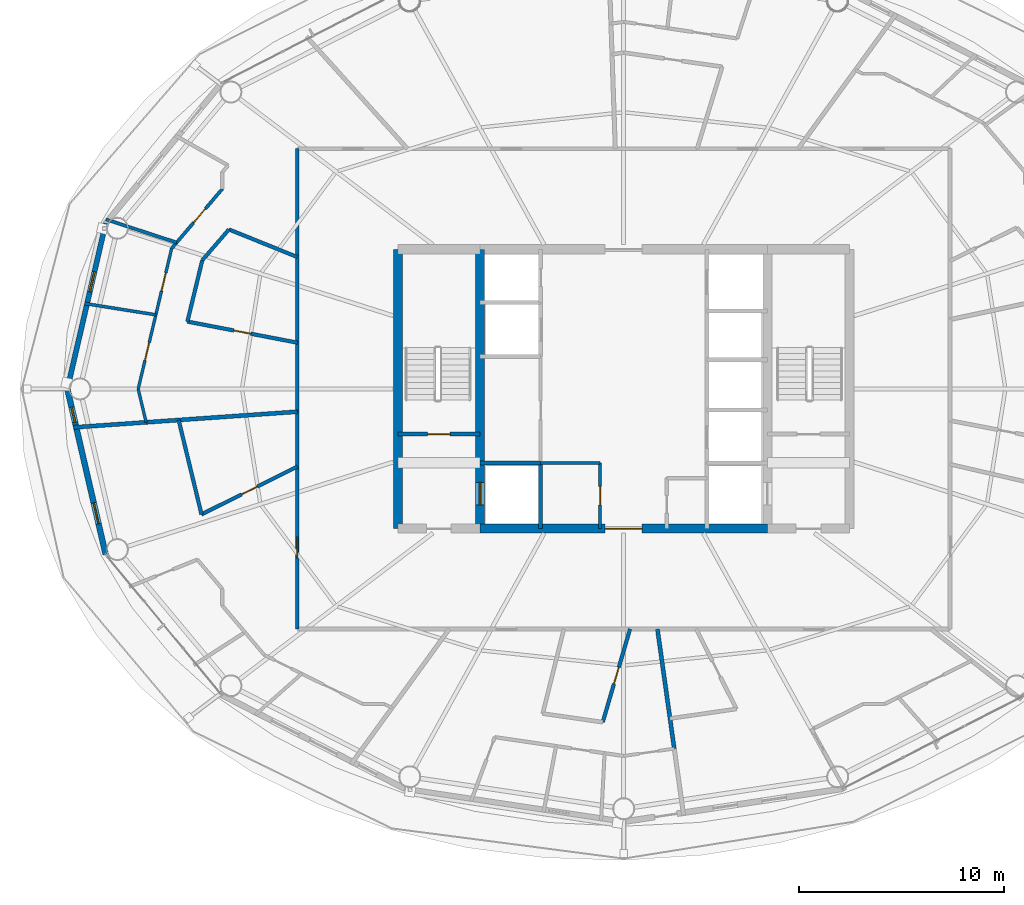
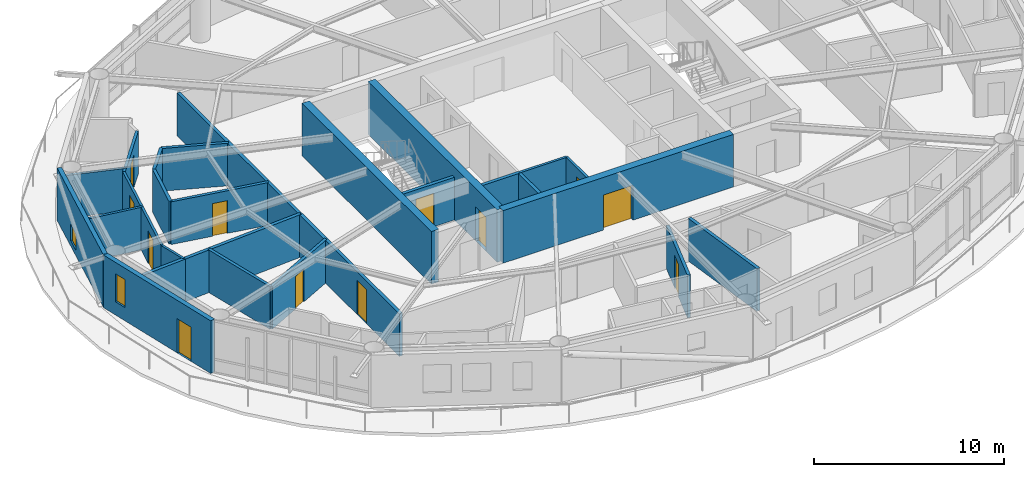
# One storey, part 20 of 29: 27 walls, 12 doors, 2 windows, 14 openings.
"""IFC4 building model written with IfcOpenShell, lengths in metres."""

import ifcopenshell
import ifcopenshell.guid

model = None  # the IFC model being written
_history = None  # IfcOwnerHistory: only IFC2X3 demands one
_inside = {}  # id of a spatial element -> (the spatial element, [elements in it])
_under = {}  # id of a project, library or spatial element -> (it, [spatial elements below it])
_declared = {}  # id of a project -> (the project, [libraries it declares])
_typed = {}  # id of a type object -> (the type object, [elements of that type])
_made_of = {}  # id of a material, layer set ... -> (it, [elements and type objects made of it])


def new_model(schema):
    """Start an empty IFC model of exactly this schema.

    Asked for "IFC4X3", IfcOpenShell would pick the latest addendum, in which some entities
    have other attributes; the version numbers below select the first issue.
    IFC2X3 requires an IfcOwnerHistory on every rooted entity: one is made here for all.
    """
    global model, _history
    if schema == "IFC4X3":
        model = ifcopenshell.file(schema_version=(4, 3, 0, 0))
    else:
        model = ifcopenshell.file(schema=schema)
    _inside.clear()
    _under.clear()
    _declared.clear()
    _typed.clear()
    _made_of.clear()
    _history = None
    if model.schema == "IFC2X3":
        org = make("IfcOrganization", Name="unknown")
        user = make(
            "IfcPersonAndOrganization",
            ThePerson=make("IfcPerson", FamilyName="unknown"),
            TheOrganization=org,
        )
        app = make(
            "IfcApplication",
            ApplicationDeveloper=org,
            Version="unknown",
            ApplicationFullName="unknown",
            ApplicationIdentifier="unknown",
        )
        _history = make(
            "IfcOwnerHistory",
            OwningUser=user,
            OwningApplication=app,
            ChangeAction="ADDED",
            CreationDate=0,
        )
    return model


def make(cls, **values):
    """One entity of the class cls with the attributes given. An attribute that is None is left unset."""
    return model.create_entity(
        cls, **{name: value for name, value in values.items() if value is not None}
    )


def rooted(cls, **values):
    """An entity with a GlobalId (a new one), such as an element, a storey or a relation."""
    return make(cls, GlobalId=ifcopenshell.guid.new(), OwnerHistory=_history, **values)


def si_unit(unit_type, name, prefix=None):
    """IfcSIUnit, for example si_unit("LENGTHUNIT", "METRE", prefix="MILLI")."""
    return make("IfcSIUnit", UnitType=unit_type, Prefix=prefix, Name=name)


def assignment(units):
    """IfcUnitAssignment: the units of a project."""
    return None if units is None else make("IfcUnitAssignment", Units=units)


def point(xyz):
    """IfcCartesianPoint."""
    return None if xyz is None else make("IfcCartesianPoint", Coordinates=xyz)


def direction(xyz):
    """IfcDirection."""
    return None if xyz is None else make("IfcDirection", DirectionRatios=xyz)


def frame(location, z_axis=None, x_axis=None):
    """IfcAxis2Placement3D, a coordinate frame: its origin and axes. An axis left out is left unset."""
    return make(
        "IfcAxis2Placement3D",
        Location=point(location),
        Axis=direction(z_axis),
        RefDirection=direction(x_axis),
    )


def frame_2d(location, x_axis=None):
    """IfcAxis2Placement2D, a coordinate frame in the plane: its origin and x axis."""
    return make(
        "IfcAxis2Placement2D", Location=point(location), RefDirection=direction(x_axis)
    )


def origin():
    """The frame at (0, 0, 0) with its axes left unset."""
    return frame((0.0, 0.0, 0.0))


def place(relative_to, where):
    """IfcLocalPlacement: puts the frame where relative to a parent placement (None: the world)."""
    return make(
        "IfcLocalPlacement", PlacementRelTo=relative_to, RelativePlacement=where
    )


def context(
    kind, dimensions, precision=None, world=None, true_north=None, identifier=None
):
    """IfcGeometricRepresentationContext, for example the 3D "Model" context."""
    return make(
        "IfcGeometricRepresentationContext",
        ContextIdentifier=identifier,
        ContextType=kind,
        CoordinateSpaceDimension=dimensions,
        Precision=precision,
        WorldCoordinateSystem=world,
        TrueNorth=true_north,
    )


def subcontext(parent, identifier, kind, view, scale=None):
    """IfcGeometricRepresentationSubContext, for example "Body" below "Model"."""
    return make(
        "IfcGeometricRepresentationSubContext",
        ContextIdentifier=identifier,
        ContextType=kind,
        ParentContext=parent,
        TargetScale=scale,
        TargetView=view,
    )


def project(units=None, contexts=None):
    """IfcProject with its units and contexts."""
    return rooted(
        "IfcProject",
        Name="project",
        RepresentationContexts=contexts,
        UnitsInContext=assignment(units),
    )


def spatial(cls, under=None, at=None, **own):
    """A site, building, storey or space (cls), placed at a placement, below another one or the project."""
    s = rooted(cls, ObjectPlacement=at, **own)
    if under is not None:
        _under.setdefault(under.id(), (under, []))[1].append(s)
    return s


def profile(cls, at=None, kind="AREA", **sizes):
    """A parametric profile (cls). Its sizes go by their IFC names, for example OverallWidth=200.0."""
    return make(cls, ProfileType=kind, Position=at, **sizes)


def rectangle(**sizes):
    """IfcRectangleProfileDef."""
    return profile("IfcRectangleProfileDef", **sizes)


def extrude(swept, where, along, depth):
    """IfcExtrudedAreaSolid: the profile swept, set in the frame where, extruded along a direction by depth."""
    return make(
        "IfcExtrudedAreaSolid",
        SweptArea=swept,
        Position=where,
        ExtrudedDirection=direction(along),
        Depth=depth,
    )


def shape(context_of_items, identifier, shape_type, items):
    """IfcShapeRepresentation: the items that make up one representation, for example the "Body"."""
    return make(
        "IfcShapeRepresentation",
        ContextOfItems=context_of_items,
        RepresentationIdentifier=identifier,
        RepresentationType=shape_type,
        Items=items,
    )


def material(Name=None, Category=None):
    """IfcMaterial."""
    return make("IfcMaterial", Name=Name, Category=Category)


def layer(
    of_material, thickness, ventilated=None, Name=None, Category=None, Priority=None
):
    """IfcMaterialLayer: one layer of a wall or slab, of a material (None: an air gap)."""
    return make(
        "IfcMaterialLayer",
        Material=of_material,
        LayerThickness=thickness,
        IsVentilated=ventilated,
        Name=Name,
        Category=Category,
        Priority=Priority,
    )


def layer_set(layers, Name=None):
    """IfcMaterialLayerSet."""
    return make("IfcMaterialLayerSet", MaterialLayers=layers, LayerSetName=Name)


def made_of(thing, what):
    """Note that an element or type object is made of a material, layer set ...; save() writes the relation."""
    if what is not None:
        _made_of.setdefault(what.id(), (what, []))[1].append(thing)
    return thing


def type_object(cls, material=None, **own):
    """A type object (cls), such as IfcWallType, which elements share."""
    return made_of(rooted(cls, **own), material)


def element(
    cls,
    number,
    at=None,
    inside=None,
    cuts=None,
    type_object=None,
    material=None,
    context=None,
    identifier="Body",
    shape_type=None,
    held_by="IfcProductDefinitionShape",
    body=None,
    shapes=None,
    **own,
):
    """One element of the class cls, such as IfcWall. Its Tag is "e" and its number.

    at: its placement. inside: the storey or other place that contains it. cuts: it is an
    opening in that element (IfcRelVoidsElement). A single representation is given by context,
    identifier, shape_type and body (its items); several are given by shapes. held_by: the class
    of the entity that holds the representations. save() writes the other relations.
    """
    e = rooted(cls, Tag="e%d" % number, ObjectPlacement=at, **own)
    if body is not None:
        shapes = [shape(context, identifier, shape_type, body)]
    if shapes is not None:
        e.Representation = make(held_by, Representations=shapes)
    if inside is not None:
        _inside.setdefault(inside.id(), (inside, []))[1].append(e)
    if cuts is not None:
        rooted(
            "IfcRelVoidsElement", RelatingBuildingElement=cuts, RelatedOpeningElement=e
        )
    if type_object is not None:
        _typed.setdefault(type_object.id(), (type_object, []))[1].append(e)
    return made_of(e, material)


def fill(opening, filler):
    """IfcRelFillsElement: the door or window that sits in an opening."""
    return rooted(
        "IfcRelFillsElement",
        RelatingOpeningElement=opening,
        RelatedBuildingElement=filler,
    )


def aggregate(whole, parts):
    """IfcRelAggregates: a whole, such as a stair, and the parts it consists of."""
    return rooted("IfcRelAggregates", RelatingObject=whole, RelatedObjects=parts)


def save(model, path):
    """Write the relations noted so far, then the file.

    IfcRelAggregates (storeys below a building ...), IfcRelContainedInSpatialStructure (elements
    in a storey), IfcRelDefinesByType, IfcRelAssociatesMaterial and IfcRelDeclares: one each for
    every whole, place, type object, material and project.
    """
    for whole, parts in _under.values():
        aggregate(whole, parts)
    for where, things in _inside.values():
        rooted(
            "IfcRelContainedInSpatialStructure",
            RelatedElements=things,
            RelatingStructure=where,
        )
    for kind, things in _typed.values():
        rooted("IfcRelDefinesByType", RelatedObjects=things, RelatingType=kind)
    for what, things in _made_of.values():
        rooted("IfcRelAssociatesMaterial", RelatedObjects=things, RelatingMaterial=what)
    for by, libraries in _declared.values():
        rooted("IfcRelDeclares", RelatingContext=by, RelatedDefinitions=libraries)
    model.write(path)


model = new_model("IFC4")

# Units and contexts
model_context = context("Model", 3, precision=1e-05, world=origin(), true_north=direction((0.0, 1.0)))
body_context = subcontext(model_context, "Body", "Model", "MODEL_VIEW")
ifc_project = project(units=[si_unit("LENGTHUNIT", "METRE"), si_unit("AREAUNIT", "SQUARE_METRE"), si_unit("VOLUMEUNIT", "CUBIC_METRE"), si_unit("PLANEANGLEUNIT", "RADIAN"), si_unit("MASSUNIT", "GRAM", prefix="KILO")], contexts=[model_context])

# Site, building, storey
site_placement = place(None, origin())
site = spatial("IfcSite", under=ifc_project, at=site_placement, CompositionType="ELEMENT")
building_placement = place(site_placement, origin())
building = spatial("IfcBuilding", under=site, at=building_placement, Name="Sarneth Arch Tower", CompositionType="ELEMENT")
storey_placement = place(building_placement, frame((0.0, 0.0, 165.0)))
storey = spatial("IfcBuildingStorey", under=building, at=storey_placement, Name="L41", CompositionType="ELEMENT", Elevation=165.0)

# Wall, opening, door
ifc_material_1 = material(Name="Concrete C50/60", Category="concrete")
ifc_layer_1 = layer(ifc_material_1, 0.449951171875)
ifc_layer_set_1 = layer_set([ifc_layer_1], Name="Concrete C50/60")
wall_type_1 = type_object("IfcWallType", Name="WALL-CORE-450", PredefinedType="SHEAR", material=ifc_layer_set_1)
wall_1_placement = place(storey_placement, frame((41.0, 35.199951171875, 0.0), z_axis=(0.0, 0.0, 1.0), x_axis=(1.0, 0.0, 0.0)))
wall_1 = element("IfcWall", 1, at=wall_1_placement, inside=storey, type_object=wall_type_1, Name="L41 Core shear wall S-M", PredefinedType="SHEAR", context=body_context, shape_type="SweptSolid", body=[
    extrude(rectangle(XDim=14.0, YDim=0.449951171875, at=frame_2d((7.0, 0.0))), origin(), (0.0, 0.0, 1.0), 3.3798828125),
])
opening_1_placement = place(wall_1_placement, frame((6.10009765625, 0.0, 0.0)))
opening_1 = element("IfcOpeningElement", 2, at=opening_1_placement, cuts=wall_1, Name="Opening FD-01", PredefinedType="OPENING", context=body_context, shape_type="SweptSolid", body=[
    extrude(rectangle(XDim=1.800048828125, YDim=2.25, at=frame_2d((0.89990234375, 1.125))), frame((0.0, 0.23486328125, 0.0), z_axis=(0.0, -1.0, 0.0), x_axis=(1.0, 0.0, 0.0)), (0.0, 0.0, 1.0), 0.469970703125),
])
ifc_material_2 = material(Name="Galvanised Steel S275 fire door set", Category="steel")
door_type_1 = type_object("IfcDoorType", Name="DR-FD90-1800", OperationType="DOUBLE_DOOR_SINGLE_SWING", PredefinedType="DOOR", material=ifc_material_2)
door_1_placement = place(opening_1_placement, origin())
door_1 = element("IfcDoor", 3, at=door_1_placement, inside=storey, type_object=door_type_1, Name="L41 Central lift lobby south door", OperationType="DOUBLE_DOOR_SINGLE_SWING", OverallHeight=2.25, OverallWidth=1.800048828125, PredefinedType="DOOR", context=body_context, shape_type="SweptSolid", body=[
    extrude(rectangle(XDim=1.800048828125, YDim=2.25, at=frame_2d((0.89990234375, 1.125))), frame((0.0, 0.02490234375, 0.0), z_axis=(0.0, -1.0, 0.0), x_axis=(1.0, 0.0, 0.0)), (0.0, 0.0, 1.0), 0.050048828125),
])
fill(opening_1, door_1)

# Wall
wall_2_placement = place(storey_placement, frame((37.0, 35.199951171875, 0.0), z_axis=(0.0, 0.0, 1.0), x_axis=(0.0, 1.0, 0.0)))
element("IfcWall", 4, at=wall_2_placement, inside=storey, type_object=wall_type_1, Name="L41 Core shear wall W", PredefinedType="SHEAR", context=body_context, shape_type="SweptSolid", body=[
    extrude(rectangle(XDim=13.60009765625, YDim=0.449951171875, at=frame_2d((6.800048828125, 0.0))), origin(), (0.0, 0.0, 1.0), 3.3798828125),
])

# Wall, opening, door
wall_3_placement = place(storey_placement, frame((41.0, 35.199951171875, 0.0), z_axis=(0.0, 0.0, 1.0), x_axis=(0.0, 1.0, 0.0)))
wall_3 = element("IfcWall", 5, at=wall_3_placement, inside=storey, type_object=wall_type_1, Name="L41 Core shear wall WEB-W", PredefinedType="SHEAR", context=body_context, shape_type="SweptSolid", body=[
    extrude(rectangle(XDim=13.60009765625, YDim=0.449951171875, at=frame_2d((6.800048828125, 0.0))), origin(), (0.0, 0.0, 1.0), 3.3798828125),
])
opening_2_placement = place(wall_3_placement, frame((1.14990234375, 0.0, 0.0)))
opening_2 = element("IfcOpeningElement", 6, at=opening_2_placement, cuts=wall_3, Name="Opening LD-1", PredefinedType="OPENING", context=body_context, shape_type="SweptSolid", body=[
    extrude(rectangle(XDim=1.10009765625, YDim=2.199951171875, at=frame_2d((0.550048828125, 1.10009765625))), frame((0.0, 0.23486328125, 0.0), z_axis=(0.0, -1.0, 0.0), x_axis=(1.0, 0.0, 0.0)), (0.0, 0.0, 1.0), 0.469970703125),
])
ifc_material_3 = material(Name="Brushed Stainless Steel 304 lift landing door", Category="steel")
door_type_2 = type_object("IfcDoorType", Name="DR-LIFT-SLIDE-1100", OperationType="SLIDING_TO_LEFT", PredefinedType="DOOR", material=ifc_material_3)
door_2_placement = place(opening_2_placement, origin())
door_2 = element("IfcDoor", 7, at=door_2_placement, inside=storey, type_object=door_type_2, Name="L41 Firefighting lift landing door FL-1", OperationType="SLIDING_TO_LEFT", OverallHeight=2.199951171875, OverallWidth=1.10009765625, PredefinedType="DOOR", context=body_context, shape_type="SweptSolid", body=[
    extrude(rectangle(XDim=1.10009765625, YDim=2.199951171875, at=frame_2d((0.550048828125, 1.10009765625))), frame((0.0, 0.02490234375, 0.0), z_axis=(0.0, -1.0, 0.0), x_axis=(1.0, 0.0, 0.0)), (0.0, 0.0, 1.0), 0.050048828125),
])
fill(opening_2, door_2)

ifc_material_4 = material(Name="Double steel-stud corridor fire wall", Category="steel")
ifc_layer_2 = layer(ifc_material_4, 0.18994140625)
ifc_layer_set_2 = layer_set([ifc_layer_2], Name="Double steel-stud corridor fire wall")
wall_type_2 = type_object("IfcWallType", Name="WALL-CORR-190", PredefinedType="PARTITIONING", material=ifc_layer_set_2)
wall_4_placement = place(storey_placement, frame((32.10009765625, 30.300048828125, 0.0), z_axis=(0.0, 0.0, 1.0), x_axis=(0.0, 1.0, 0.0)))
wall_4 = element("IfcWall", 8, at=wall_4_placement, inside=storey, type_object=wall_type_2, Name="L41 Interior partition W-L41-TP-012", PredefinedType="PARTITIONING", context=body_context, shape_type="SweptSolid", body=[
    extrude(rectangle(XDim=10.620361328125, YDim=0.18994140625, at=frame_2d((5.31005859375, 0.0))), origin(), (0.0, 0.0, 1.0), 2.739990234375),
])
opening_3_placement = place(wall_4_placement, frame((3.474853515625, 0.0, 0.0)))
opening_3 = element("IfcOpeningElement", 9, at=opening_3_placement, cuts=wall_4, Name="Opening FD-08", PredefinedType="OPENING", context=body_context, shape_type="SweptSolid", body=[
    extrude(rectangle(XDim=1.0, YDim=2.199951171875, at=frame_2d((0.5, 1.10009765625))), frame((0.0, 0.10498046875, 0.0), z_axis=(0.0, -1.0, 0.0), x_axis=(1.0, 0.0, 0.0)), (0.0, 0.0, 1.0), 0.2099609375),
])
ifc_material_5 = material(Name="Hardwood timber acoustic fire door", Category="wood")
door_type_3 = type_object("IfcDoorType", Name="DR-FD60-1000", OperationType="SINGLE_SWING_LEFT", PredefinedType="DOOR", material=ifc_material_5)
door_3_placement = place(opening_3_placement, origin())
door_3 = element("IfcDoor", 10, at=door_3_placement, inside=storey, type_object=door_type_3, Name="L41 Interior door DR-L41-U5-ENT", OperationType="SINGLE_SWING_LEFT", OverallHeight=2.199951171875, OverallWidth=1.0, PredefinedType="DOOR", context=body_context, shape_type="SweptSolid", body=[
    extrude(rectangle(XDim=1.0, YDim=2.199951171875, at=frame_2d((0.5, 1.10009765625))), frame((0.0, 0.02490234375, 0.0), z_axis=(0.0, -1.0, 0.0), x_axis=(1.0, 0.0, 0.0)), (0.0, 0.0, 1.0), 0.050048828125),
])
fill(opening_3, door_3)

# Wall
wall_5_placement = place(storey_placement, frame((32.10009765625, 40.856201171875, 0.0), z_axis=(0.0, 0.0, 1.0), x_axis=(0.0, 1.0, 0.0)))
element("IfcWall", 11, at=wall_5_placement, inside=storey, type_object=wall_type_2, Name="L41 Interior partition W-L41-TP-008", PredefinedType="PARTITIONING", context=body_context, shape_type="SweptSolid", body=[
    extrude(rectangle(XDim=12.84375, YDim=0.18994140625, at=frame_2d((6.421875, 0.0))), origin(), (0.0, 0.0, 1.0), 2.739990234375),
])

# Wall, opening, window
ifc_material_6 = material(Name="Extruded terracotta rainscreen on Concrete C40/50 backing", Category="masonry")
ifc_layer_3 = layer(ifc_material_6, 0.25)
ifc_layer_set_3 = layer_set([ifc_layer_3], Name="Extruded terracotta rainscreen on Concrete C40/50 backing")
wall_type_3 = type_object("IfcWallType", Name="WALL-EXT-SPAND-250", PredefinedType="SOLIDWALL", material=ifc_layer_set_3)
wall_6_placement = place(storey_placement, frame((22.767578125, 50.06689453125, 0.0), z_axis=(0.0, 0.0, 1.0), x_axis=(-0.225473184558, -0.974249374157, 0.0)))
wall_6 = element("IfcWall", 12, at=wall_6_placement, inside=storey, type_object=wall_type_3, Name="L41 Terracotta perimeter wall 08", PredefinedType="SOLIDWALL", context=body_context, shape_type="SweptSolid", body=[
    extrude(rectangle(XDim=8.280029296875, YDim=0.25, at=frame_2d((4.14013671875, 0.0))), origin(), (0.0, 0.0, 1.0), 3.3798828125),
])
opening_4_placement = place(wall_6_placement, frame((2.419677734375, 0.0, 0.35009765625)))
opening_4 = element("IfcOpeningElement", 13, at=opening_4_placement, cuts=wall_6, Name="Opening W-14", PredefinedType="OPENING", context=body_context, shape_type="SweptSolid", body=[
    extrude(rectangle(XDim=1.0, YDim=1.050048828125, at=frame_2d((0.5, 0.52490234375))), frame((0.0, 0.135009765625, 0.0), z_axis=(0.0, -1.0, 0.0), x_axis=(1.0, 0.0, 0.0)), (0.0, 0.0, 1.0), 0.27001953125),
])
ifc_material_7 = material(Name="Thermally broken Aluminium 6063-T6 and low-e laminated IGU", Category="aluminium")
window_type_1 = type_object("IfcWindowType", Name="WIN-TWR-1000x1050", PartitioningType="SINGLE_PANEL", PredefinedType="WINDOW", material=ifc_material_7)
window_1_placement = place(opening_4_placement, origin())
window_1 = element("IfcWindow", 14, at=window_1_placement, inside=storey, type_object=window_type_1, Name="L41 Dwelling bedroom window 03", OverallHeight=1.050048828125, OverallWidth=1.0, PartitioningType="SINGLE_PANEL", PredefinedType="WINDOW", context=body_context, shape_type="SweptSolid", body=[
    extrude(rectangle(XDim=1.0, YDim=1.050048828125, at=frame_2d((0.5, 0.52490234375))), frame((0.0, 0.030029296875, 0.0), z_axis=(0.0, -1.0, 0.0), x_axis=(1.0, 0.0, 0.0)), (0.0, 0.0, 1.0), 0.06005859375),
])
fill(opening_4, window_1)

# Wall, openings, door, window
ifc_material_8 = material(Name="Extruded terracotta rainscreen on Concrete C40/50 backing", Category="masonry")
ifc_layer_4 = layer(ifc_material_8, 0.280029296875)
ifc_layer_set_4 = layer_set([ifc_layer_4], Name="Extruded terracotta rainscreen on Concrete C40/50 backing")
wall_type_4 = type_object("IfcWallType", Name="WALL-EXT-TERRA-280", PredefinedType="SOLIDWALL", material=ifc_layer_set_4)
wall_7_placement = place(storey_placement, frame((20.900634765625, 42.0, 0.0), z_axis=(0.0, 0.0, 1.0), x_axis=(0.225473184558, -0.974249374157, 0.0)))
wall_7 = element("IfcWall", 15, at=wall_7_placement, inside=storey, type_object=wall_type_4, Name="L41 Terracotta perimeter wall 09", PredefinedType="SOLIDWALL", context=body_context, shape_type="SweptSolid", body=[
    extrude(rectangle(XDim=8.280029296875, YDim=0.280029296875, at=frame_2d((4.14013671875, 0.0))), origin(), (0.0, 0.0, 1.0), 3.3798828125),
])
opening_5_placement = place(wall_7_placement, frame((5.69384765625, 0.0, 0.0)))
opening_5 = element("IfcOpeningElement", 16, at=opening_5_placement, cuts=wall_7, Name="Opening BD-4", PredefinedType="OPENING", context=body_context, shape_type="SweptSolid", body=[
    extrude(rectangle(XDim=1.050048828125, YDim=2.199951171875, at=frame_2d((0.52490234375, 1.10009765625))), frame((0.0, 0.14990234375, 0.0), z_axis=(0.0, -1.0, 0.0), x_axis=(1.0, 0.0, 0.0)), (0.0, 0.0, 1.0), 0.300048828125),
])
opening_6_placement = place(wall_7_placement, frame((0.918212890625, 0.0, 0.85009765625)))
opening_6 = element("IfcOpeningElement", 17, at=opening_6_placement, cuts=wall_7, Name="Opening W-13", PredefinedType="OPENING", context=body_context, shape_type="SweptSolid", body=[
    extrude(rectangle(XDim=0.75, YDim=1.800048828125, at=frame_2d((0.375, 0.89990234375))), frame((0.0, 0.14990234375, 0.0), z_axis=(0.0, -1.0, 0.0), x_axis=(1.0, 0.0, 0.0)), (0.0, 0.0, 1.0), 0.300048828125),
])
ifc_material_9 = material(Name="Thermally broken Aluminium 6063-T6 and laminated safety glass", Category="aluminium")
door_type_4 = type_object("IfcDoorType", Name="DR-BALC-GLZ-1050", OperationType="SINGLE_SWING_RIGHT", PredefinedType="DOOR", material=ifc_material_9)
door_4_placement = place(opening_5_placement, origin())
door_4 = element("IfcDoor", 18, at=door_4_placement, inside=storey, type_object=door_type_4, Name="L41 Balcony glazed door 09", OperationType="SINGLE_SWING_RIGHT", OverallHeight=2.199951171875, OverallWidth=1.050048828125, PredefinedType="DOOR", context=body_context, shape_type="SweptSolid", body=[
    extrude(rectangle(XDim=1.050048828125, YDim=2.199951171875, at=frame_2d((0.52490234375, 1.10009765625))), frame((0.0, 0.02490234375, 0.0), z_axis=(0.0, -1.0, 0.0), x_axis=(1.0, 0.0, 0.0)), (0.0, 0.0, 1.0), 0.050048828125),
])
fill(opening_5, door_4)
ifc_material_10 = material(Name="Thermally broken Aluminium 6063-T6 and low-e laminated IGU", Category="aluminium")
window_type_2 = type_object("IfcWindowType", Name="WIN-TWR-750x1800", PartitioningType="SINGLE_PANEL", PredefinedType="WINDOW", material=ifc_material_10)
window_2_placement = place(opening_6_placement, origin())
window_2 = element("IfcWindow", 19, at=window_2_placement, inside=storey, type_object=window_type_2, Name="L41 Dwelling bedroom window 04", OverallHeight=1.800048828125, OverallWidth=0.75, PartitioningType="SINGLE_PANEL", PredefinedType="WINDOW", context=body_context, shape_type="SweptSolid", body=[
    extrude(rectangle(XDim=0.75, YDim=1.800048828125, at=frame_2d((0.375, 0.89990234375))), frame((0.0, 0.030029296875, 0.0), z_axis=(0.0, -1.0, 0.0), x_axis=(1.0, 0.0, 0.0)), (0.0, 0.0, 1.0), 0.06005859375),
])
fill(opening_6, window_2)

# Wall, openings, doors
ifc_material_11 = material(Name="Apartment internal stud partition", Category="gypsum")
ifc_layer_5 = layer(ifc_material_11, 0.139892578125)
ifc_layer_set_5 = layer_set([ifc_layer_5], Name="Apartment internal stud partition")
wall_type_5 = type_object("IfcWallType", Name="WALL-PART-140", PredefinedType="PARTITIONING", material=ifc_layer_set_5)
wall_8_placement = place(storey_placement, frame((24.351318359375, 42.0, 0.0), z_axis=(0.0, 0.0, 1.0), x_axis=(0.231625219966, 0.972805097373, 0.0)))
wall_8 = element("IfcWall", 20, at=wall_8_placement, inside=storey, type_object=wall_type_5, Name="L41 Interior partition W-L41-TP-064", PredefinedType="PARTITIONING", context=body_context, shape_type="SweptSolid", body=[
    extrude(rectangle(XDim=7.033447265625, YDim=0.139892578125, at=frame_2d((3.5166015625, 0.0))), origin(), (0.0, 0.0, 1.0), 2.739990234375),
])
opening_7_placement = place(wall_8_placement, frame((1.421142578125, 0.0, 0.0)))
opening_7 = element("IfcOpeningElement", 21, at=opening_7_placement, cuts=wall_8, Name="Opening ID-01", PredefinedType="OPENING", context=body_context, shape_type="SweptSolid", body=[
    extrude(rectangle(XDim=0.89990234375, YDim=2.10009765625, at=frame_2d((0.449951171875, 1.050048828125))), frame((0.0, 0.079833984375, 0.0), z_axis=(0.0, -1.0, 0.0), x_axis=(1.0, 0.0, 0.0)), (0.0, 0.0, 1.0), 0.159912109375),
])
opening_8_placement = place(wall_8_placement, frame((4.906005859375, 0.0, 0.0)))
opening_8 = element("IfcOpeningElement", 22, at=opening_8_placement, cuts=wall_8, Name="Opening ID-01", PredefinedType="OPENING", context=body_context, shape_type="SweptSolid", body=[
    extrude(rectangle(XDim=0.89990234375, YDim=2.10009765625, at=frame_2d((0.449951171875, 1.050048828125))), frame((0.0, 0.079833984375, 0.0), z_axis=(0.0, -1.0, 0.0), x_axis=(1.0, 0.0, 0.0)), (0.0, 0.0, 1.0), 0.159912109375),
])
ifc_material_12 = material(Name="Engineered hardwood flush door", Category="wood")
door_type_5 = type_object("IfcDoorType", Name="DR-INT-900", OperationType="SINGLE_SWING_LEFT", PredefinedType="DOOR", material=ifc_material_12)
door_5_placement = place(opening_7_placement, origin())
door_5 = element("IfcDoor", 23, at=door_5_placement, inside=storey, type_object=door_type_5, Name="L41 Interior door DR-L41-U4-BED2", OperationType="SINGLE_SWING_LEFT", OverallHeight=2.10009765625, OverallWidth=0.89990234375, PredefinedType="DOOR", context=body_context, shape_type="SweptSolid", body=[
    extrude(rectangle(XDim=0.89990234375, YDim=2.10009765625, at=frame_2d((0.449951171875, 1.050048828125))), frame((0.0, 0.02490234375, 0.0), z_axis=(0.0, -1.0, 0.0), x_axis=(1.0, 0.0, 0.0)), (0.0, 0.0, 1.0), 0.050048828125),
])
fill(opening_7, door_5)
door_6_placement = place(opening_8_placement, origin())
door_6 = element("IfcDoor", 24, at=door_6_placement, inside=storey, type_object=door_type_5, Name="L41 Interior door DR-L41-U4-BED1", OperationType="SINGLE_SWING_LEFT", OverallHeight=2.10009765625, OverallWidth=0.89990234375, PredefinedType="DOOR", context=body_context, shape_type="SweptSolid", body=[
    extrude(rectangle(XDim=0.89990234375, YDim=2.10009765625, at=frame_2d((0.449951171875, 1.050048828125))), frame((0.0, 0.02490234375, 0.0), z_axis=(0.0, -1.0, 0.0), x_axis=(1.0, 0.0, 0.0)), (0.0, 0.0, 1.0), 0.050048828125),
])
fill(opening_8, door_6)

# Walls
wall_9_placement = place(storey_placement, frame((24.738525390625, 40.373291015625, 0.0), z_axis=(0.0, 0.0, 1.0), x_axis=(-0.231561310927, 0.972820311919, 0.0)))
element("IfcWall", 25, at=wall_9_placement, inside=storey, type_object=wall_type_5, Name="L41 Interior partition W-L41-TP-063", PredefinedType="PARTITIONING", context=body_context, shape_type="SweptSolid", body=[
    extrude(rectangle(XDim=1.672119140625, YDim=0.139892578125, at=frame_2d((0.8359375, 0.0))), origin(), (0.0, 0.0, 1.0), 2.739990234375),
])
ifc_material_13 = material(Name="Acoustic gypsum stud partition", Category="gypsum")
ifc_layer_6 = layer(ifc_material_13, 0.14990234375)
ifc_layer_set_6 = layer_set([ifc_layer_6], Name="Acoustic gypsum stud partition")
wall_type_6 = type_object("IfcWallType", Name="WALL-PART-150", PredefinedType="PARTITIONING", material=ifc_layer_set_6)
wall_10_placement = place(storey_placement, frame((43.949951171875, 38.39990234375, 0.0), z_axis=(0.0, 0.0, 1.0), x_axis=(1.0, 0.0, 0.0)))
element("IfcWall", 26, at=wall_10_placement, inside=storey, type_object=wall_type_6, Name="L41 Interior partition W-L41-CSUP1-N", PredefinedType="PARTITIONING", context=body_context, shape_type="SweptSolid", body=[
    extrude(rectangle(XDim=2.900146484375, YDim=0.14990234375, at=frame_2d((1.4501953125, 0.0))), origin(), (0.0, 0.0, 1.0), 2.739990234375),
])

# Wall, opening, door
wall_11_placement = place(storey_placement, frame((46.85009765625, 35.199951171875, 0.0), z_axis=(0.0, 0.0, 1.0), x_axis=(0.0, 1.0, 0.0)))
wall_11 = element("IfcWall", 27, at=wall_11_placement, inside=storey, type_object=wall_type_6, Name="L41 Interior partition W-L41-CSUP1-E", PredefinedType="PARTITIONING", context=body_context, shape_type="SweptSolid", body=[
    extrude(rectangle(XDim=3.199951171875, YDim=0.14990234375, at=frame_2d((1.60009765625, 0.0))), origin(), (0.0, 0.0, 1.0), 2.739990234375),
])
opening_9_placement = place(wall_11_placement, frame((1.14990234375, 0.0, 0.0)))
opening_9 = element("IfcOpeningElement", 28, at=opening_9_placement, cuts=wall_11, Name="Opening FD-10", PredefinedType="OPENING", context=body_context, shape_type="SweptSolid", body=[
    extrude(rectangle(XDim=0.89990234375, YDim=2.14990234375, at=frame_2d((0.449951171875, 1.074951171875))), frame((0.0, 0.0849609375, 0.0), z_axis=(0.0, -1.0, 0.0), x_axis=(1.0, 0.0, 0.0)), (0.0, 0.0, 1.0), 0.169921875),
])
ifc_material_14 = material(Name="Galvanised Steel S275 riser/service fire door", Category="steel")
door_type_6 = type_object("IfcDoorType", Name="DR-FD60-900", OperationType="SINGLE_SWING_LEFT", PredefinedType="DOOR", material=ifc_material_14)
door_7_placement = place(opening_9_placement, origin())
door_7 = element("IfcDoor", 29, at=door_7_placement, inside=storey, type_object=door_type_6, Name="L41 Interior door DR-L41-CSUP1", OperationType="SINGLE_SWING_LEFT", OverallHeight=2.14990234375, OverallWidth=0.89990234375, PredefinedType="DOOR", context=body_context, shape_type="SweptSolid", body=[
    extrude(rectangle(XDim=0.89990234375, YDim=2.14990234375, at=frame_2d((0.449951171875, 1.074951171875))), frame((0.0, 0.02490234375, 0.0), z_axis=(0.0, -1.0, 0.0), x_axis=(1.0, 0.0, 0.0)), (0.0, 0.0, 1.0), 0.050048828125),
])
fill(opening_9, door_7)

# Walls
wall_12_placement = place(storey_placement, frame((25.210693359375, 45.609619140625, 0.0), z_axis=(0.0, 0.0, 1.0), x_axis=(-0.987691308322, 0.156415726399, 0.0)))
element("IfcWall", 30, at=wall_12_placement, inside=storey, type_object=wall_type_6, Name="L41 Interior partition W-L41-TP-068", PredefinedType="PARTITIONING", context=body_context, shape_type="SweptSolid", body=[
    extrude(rectangle(XDim=3.513427734375, YDim=0.14990234375, at=frame_2d((1.7568359375, 0.0))), origin(), (0.0, 0.0, 1.0), 2.739990234375),
])
ifc_material_15 = material(Name="Kitchen wet service chase wall", Category="gypsum")
ifc_layer_7 = layer(ifc_material_15, 0.159912109375)
ifc_layer_set_7 = layer_set([ifc_layer_7], Name="Kitchen wet service chase wall")
wall_type_7 = type_object("IfcWallType", Name="WALL-PLUMB-160", PredefinedType="PLUMBINGWALL", material=ifc_layer_set_7)
wall_13_placement = place(storey_placement, frame((22.77978515625, 50.256591796875, 0.0), z_axis=(0.0, 0.0, 1.0), x_axis=(0.95036707557, -0.311130875474, 0.0)))
element("IfcWall", 31, at=wall_13_placement, inside=storey, type_object=wall_type_7, Name="L41 Interior partition W-L41-TP-067", PredefinedType="PLUMBINGWALL", context=body_context, shape_type="SweptSolid", body=[
    extrude(rectangle(XDim=3.62451171875, YDim=0.159912109375, at=frame_2d((1.812255859375, 0.0))), origin(), (0.0, 0.0, 1.0), 2.739990234375),
])

# Wall, opening, door
wall_14_placement = place(storey_placement, frame((28.449951171875, 51.744384765625, 0.0), z_axis=(0.0, 0.0, 1.0), x_axis=(-0.648022171798, -0.761621470849, 0.0)))
wall_14 = element("IfcWall", 32, at=wall_14_placement, inside=storey, type_object=wall_type_7, Name="L41 Interior partition W-L41-TP-056", PredefinedType="PLUMBINGWALL", context=body_context, shape_type="SweptSolid", body=[
    extrude(rectangle(XDim=3.810302734375, YDim=0.159912109375, at=frame_2d((1.9052734375, 0.0))), origin(), (0.0, 0.0, 1.0), 2.739990234375),
])
opening_10_placement = place(wall_14_placement, frame((1.26708984375, 0.0, 0.0)))
opening_10 = element("IfcOpeningElement", 33, at=opening_10_placement, cuts=wall_14, Name="Opening ID-01", PredefinedType="OPENING", context=body_context, shape_type="SweptSolid", body=[
    extrude(rectangle(XDim=0.89990234375, YDim=2.10009765625, at=frame_2d((0.449951171875, 1.050048828125))), frame((0.0, 0.08984375, 0.0), z_axis=(0.0, -1.0, 0.0), x_axis=(1.0, 0.0, 0.0)), (0.0, 0.0, 1.0), 0.179931640625),
])
door_8_placement = place(opening_10_placement, origin())
door_8 = element("IfcDoor", 34, at=door_8_placement, inside=storey, type_object=door_type_5, Name="L41 Interior door DR-L41-U4-KIT", OperationType="SINGLE_SWING_LEFT", OverallHeight=2.10009765625, OverallWidth=0.89990234375, PredefinedType="DOOR", context=body_context, shape_type="SweptSolid", body=[
    extrude(rectangle(XDim=0.89990234375, YDim=2.10009765625, at=frame_2d((0.449951171875, 1.050048828125))), frame((0.0, 0.02490234375, 0.0), z_axis=(0.0, -1.0, 0.0), x_axis=(1.0, 0.0, 0.0)), (0.0, 0.0, 1.0), 0.050048828125),
])
fill(opening_10, door_8)

ifc_material_16 = material(Name="Moisture-resistant plumbing chase wall", Category="gypsum")
ifc_layer_8 = layer(ifc_material_16, 0.179931640625)
ifc_layer_set_8 = layer_set([ifc_layer_8], Name="Moisture-resistant plumbing chase wall")
wall_type_8 = type_object("IfcWallType", Name="WALL-PLUMB-180", PredefinedType="PLUMBINGWALL", material=ifc_layer_set_8)
wall_15_placement = place(storey_placement, frame((32.10009765625, 44.253173828125, 0.0), z_axis=(0.0, 0.0, 1.0), x_axis=(-0.982102846986, 0.188345421878, 0.0)))
wall_15 = element("IfcWall", 35, at=wall_15_placement, inside=storey, type_object=wall_type_8, Name="L41 Interior partition W-L41-TP-057", PredefinedType="PLUMBINGWALL", context=body_context, shape_type="SweptSolid", body=[
    extrude(rectangle(XDim=5.447998046875, YDim=0.179931640625, at=frame_2d((2.72412109375, 0.0))), origin(), (0.0, 0.0, 1.0), 2.739990234375),
])
opening_11_placement = place(wall_15_placement, frame((2.299072265625, 0.0, 0.0)))
opening_11 = element("IfcOpeningElement", 36, at=opening_11_placement, cuts=wall_15, Name="Opening ID-02", PredefinedType="OPENING", context=body_context, shape_type="SweptSolid", body=[
    extrude(rectangle(XDim=0.85009765625, YDim=2.10009765625, at=frame_2d((0.425048828125, 1.050048828125))), frame((0.0, 0.099853515625, 0.0), z_axis=(0.0, -1.0, 0.0), x_axis=(1.0, 0.0, 0.0)), (0.0, 0.0, 1.0), 0.199951171875),
])
ifc_material_17 = material(Name="Moisture-resistant bathroom timber door", Category="wood")
door_type_7 = type_object("IfcDoorType", Name="DR-INT-850", OperationType="SINGLE_SWING_RIGHT", PredefinedType="DOOR", material=ifc_material_17)
door_9_placement = place(opening_11_placement, origin())
door_9 = element("IfcDoor", 37, at=door_9_placement, inside=storey, type_object=door_type_7, Name="L41 Interior door DR-L41-U4-BATH", OperationType="SINGLE_SWING_LEFT", OverallHeight=2.10009765625, OverallWidth=0.85009765625, PredefinedType="DOOR", context=body_context, shape_type="SweptSolid", body=[
    extrude(rectangle(XDim=0.85009765625, YDim=2.10009765625, at=frame_2d((0.425048828125, 1.050048828125))), frame((0.0, 0.02490234375, 0.0), z_axis=(0.0, -1.0, 0.0), x_axis=(1.0, 0.0, 0.0)), (0.0, 0.0, 1.0), 0.050048828125),
])
fill(opening_11, door_9)

wall_16_placement = place(storey_placement, frame((27.43603515625, 35.887451171875, 0.0), z_axis=(0.0, 0.0, 1.0), x_axis=(0.894857716432, 0.446351506485, 0.0)))
wall_16 = element("IfcWall", 38, at=wall_16_placement, inside=storey, type_object=wall_type_8, Name="L41 Interior partition W-L41-TP-075", PredefinedType="PLUMBINGWALL", context=body_context, shape_type="SweptSolid", body=[
    extrude(rectangle(XDim=5.212158203125, YDim=0.179931640625, at=frame_2d((2.60595703125, 0.0))), origin(), (0.0, 0.0, 1.0), 2.739990234375),
])
opening_12_placement = place(wall_16_placement, frame((2.180908203125, 0.0, 0.0)))
opening_12 = element("IfcOpeningElement", 39, at=opening_12_placement, cuts=wall_16, Name="Opening ID-02", PredefinedType="OPENING", context=body_context, shape_type="SweptSolid", body=[
    extrude(rectangle(XDim=0.85009765625, YDim=2.10009765625, at=frame_2d((0.425048828125, 1.050048828125))), frame((0.0, 0.099853515625, 0.0), z_axis=(0.0, -1.0, 0.0), x_axis=(1.0, 0.0, 0.0)), (0.0, 0.0, 1.0), 0.199951171875),
])
door_10_placement = place(opening_12_placement, origin())
door_10 = element("IfcDoor", 40, at=door_10_placement, inside=storey, type_object=door_type_7, Name="L41 Interior door DR-L41-U5-BATH", OperationType="SINGLE_SWING_RIGHT", OverallHeight=2.10009765625, OverallWidth=0.85009765625, PredefinedType="DOOR", context=body_context, shape_type="SweptSolid", body=[
    extrude(rectangle(XDim=0.85009765625, YDim=2.10009765625, at=frame_2d((0.425048828125, 1.050048828125))), frame((0.0, 0.02490234375, 0.0), z_axis=(0.0, -1.0, 0.0), x_axis=(1.0, 0.0, 0.0)), (0.0, 0.0, 1.0), 0.050048828125),
])
fill(opening_12, door_10)

# Wall
wall_17_placement = place(storey_placement, frame((26.322265625, 40.484130859375, 0.0), z_axis=(0.0, 0.0, 1.0), x_axis=(0.235484788327, -0.971878034769, 0.0)))
element("IfcWall", 41, at=wall_17_placement, inside=storey, type_object=wall_type_8, Name="L41 Interior partition W-L41-TP-074", PredefinedType="PLUMBINGWALL", context=body_context, shape_type="SweptSolid", body=[
    extrude(rectangle(XDim=4.729736328125, YDim=0.179931640625, at=frame_2d((2.36474609375, 0.0))), origin(), (0.0, 0.0, 1.0), 2.739990234375),
])

# Wall, opening, door
wall_18_placement = place(storey_placement, frame((48.307861328125, 30.300048828125, 0.0), z_axis=(0.0, 0.0, 1.0), x_axis=(-0.281192482413, -0.9596513887, 0.0)))
wall_18 = element("IfcWall", 42, at=wall_18_placement, inside=storey, type_object=wall_type_8, Name="L41 Interior partition W-L41-TP-087", PredefinedType="PLUMBINGWALL", context=body_context, shape_type="SweptSolid", body=[
    extrude(rectangle(XDim=4.72412109375, YDim=0.179931640625, at=frame_2d((2.362060546875, 0.0))), origin(), (0.0, 0.0, 1.0), 2.739990234375),
])
opening_13_placement = place(wall_18_placement, frame((1.93701171875, 0.0, 0.0)))
opening_13 = element("IfcOpeningElement", 43, at=opening_13_placement, cuts=wall_18, Name="Opening ID-02", PredefinedType="OPENING", context=body_context, shape_type="SweptSolid", body=[
    extrude(rectangle(XDim=0.85009765625, YDim=2.10009765625, at=frame_2d((0.425048828125, 1.050048828125))), frame((0.0, 0.099853515625, 0.0), z_axis=(0.0, -1.0, 0.0), x_axis=(1.0, 0.0, 0.0)), (0.0, 0.0, 1.0), 0.199951171875),
])
door_11_placement = place(opening_13_placement, origin())
door_11 = element("IfcDoor", 44, at=door_11_placement, inside=storey, type_object=door_type_7, Name="L41 Interior door DR-L41-U6-BATH", OperationType="SINGLE_SWING_LEFT", OverallHeight=2.10009765625, OverallWidth=0.85009765625, PredefinedType="DOOR", context=body_context, shape_type="SweptSolid", body=[
    extrude(rectangle(XDim=0.85009765625, YDim=2.10009765625, at=frame_2d((0.425048828125, 1.050048828125))), frame((0.0, 0.02490234375, 0.0), z_axis=(0.0, -1.0, 0.0), x_axis=(1.0, 0.0, 0.0)), (0.0, 0.0, 1.0), 0.050048828125),
])
fill(opening_13, door_11)

# Walls
wall_19_placement = place(storey_placement, frame((28.772705078125, 49.768310546875, 0.0), z_axis=(0.0, 0.0, 1.0), x_axis=(0.927195040954, -0.374578904945, 0.0)))
element("IfcWall", 45, at=wall_19_placement, inside=storey, type_object=wall_type_8, Name="L41 Interior partition W-L41-TP-060", PredefinedType="PLUMBINGWALL", context=body_context, shape_type="SweptSolid", body=[
    extrude(rectangle(XDim=3.588623046875, YDim=0.179931640625, at=frame_2d((1.79443359375, 0.0))), origin(), (0.0, 0.0, 1.0), 2.739990234375),
])
wall_20_placement = place(storey_placement, frame((26.74951171875, 45.279296875, 0.0), z_axis=(0.0, 0.0, 1.0), x_axis=(0.235525049635, 0.971868278624, 0.0)))
element("IfcWall", 46, at=wall_20_placement, inside=storey, type_object=wall_type_8, Name="L41 Interior partition W-L41-TP-058", PredefinedType="PLUMBINGWALL", context=body_context, shape_type="SweptSolid", body=[
    extrude(rectangle(XDim=3.075439453125, YDim=0.179931640625, at=frame_2d((1.53759765625, 0.0))), origin(), (0.0, 0.0, 1.0), 2.739990234375),
])
wall_21_placement = place(storey_placement, frame((27.473876953125, 48.268310546875, 0.0), z_axis=(0.0, 0.0, 1.0), x_axis=(0.654593195673, 0.755981314702, 0.0)))
element("IfcWall", 47, at=wall_21_placement, inside=storey, type_object=wall_type_8, Name="L41 Interior partition W-L41-TP-059", PredefinedType="PLUMBINGWALL", context=body_context, shape_type="SweptSolid", body=[
    extrude(rectangle(XDim=1.984130859375, YDim=0.179931640625, at=frame_2d((0.9921875, 0.0))), origin(), (0.0, 0.0, 1.0), 2.739990234375),
])

# Wall, opening, door
ifc_material_18 = material(Name="Aerated concrete blockwork C25/30", Category="masonry")
ifc_layer_9 = layer(ifc_material_18, 0.199951171875)
ifc_layer_set_9 = layer_set([ifc_layer_9], Name="Aerated concrete blockwork C25/30")
wall_type_9 = type_object("IfcWallType", Name="WALL-SHAFT-200", PredefinedType="SOLIDWALL", material=ifc_layer_set_9)
wall_22_placement = place(storey_placement, frame((37.0, 39.800048828125, 0.0), z_axis=(0.0, 0.0, 1.0), x_axis=(1.0, 0.0, 0.0)))
wall_22 = element("IfcWall", 48, at=wall_22_placement, inside=storey, type_object=wall_type_9, Name="L41 Interior partition W-L41-ST1-S", PredefinedType="SOLIDWALL", context=body_context, shape_type="SweptSolid", body=[
    extrude(rectangle(XDim=4.0, YDim=0.199951171875, at=frame_2d((2.0, 0.0))), origin(), (0.0, 0.0, 1.0), 2.739990234375),
])
opening_14_placement = place(wall_22_placement, frame((1.449951171875, 0.0, 0.0)))
opening_14 = element("IfcOpeningElement", 49, at=opening_14_placement, cuts=wall_22, Name="Opening FD-03", PredefinedType="OPENING", context=body_context, shape_type="SweptSolid", body=[
    extrude(rectangle(XDim=1.10009765625, YDim=2.14990234375, at=frame_2d((0.550048828125, 1.074951171875))), frame((0.0, 0.10986328125, 0.0), z_axis=(0.0, -1.0, 0.0), x_axis=(1.0, 0.0, 0.0)), (0.0, 0.0, 1.0), 0.219970703125),
])
ifc_material_19 = material(Name="Galvanised Steel S275 fire door set", Category="steel")
door_type_8 = type_object("IfcDoorType", Name="DR-FD90-1100", OperationType="SINGLE_SWING_LEFT", PredefinedType="DOOR", material=ifc_material_19)
door_12_placement = place(opening_14_placement, origin())
door_12 = element("IfcDoor", 50, at=door_12_placement, inside=storey, type_object=door_type_8, Name="L41 Interior door DR-L41-ST1", OperationType="SINGLE_SWING_LEFT", OverallHeight=2.14990234375, OverallWidth=1.10009765625, PredefinedType="DOOR", context=body_context, shape_type="SweptSolid", body=[
    extrude(rectangle(XDim=1.10009765625, YDim=2.14990234375, at=frame_2d((0.550048828125, 1.074951171875))), frame((0.0, 0.02490234375, 0.0), z_axis=(0.0, -1.0, 0.0), x_axis=(1.0, 0.0, 0.0)), (0.0, 0.0, 1.0), 0.050048828125),
])
fill(opening_14, door_12)

# Walls
wall_23_placement = place(storey_placement, frame((43.949951171875, 35.199951171875, 0.0), z_axis=(0.0, 0.0, 1.0), x_axis=(0.0, 1.0, 0.0)))
element("IfcWall", 51, at=wall_23_placement, inside=storey, type_object=wall_type_9, Name="L41 Interior partition W-L41-FL1-E", PredefinedType="SOLIDWALL", context=body_context, shape_type="SweptSolid", body=[
    extrude(rectangle(XDim=3.199951171875, YDim=0.199951171875, at=frame_2d((1.60009765625, 0.0))), origin(), (0.0, 0.0, 1.0), 2.739990234375),
])
wall_24_placement = place(storey_placement, frame((41.0, 38.39990234375, 0.0), z_axis=(0.0, 0.0, 1.0), x_axis=(1.0, 0.0, 0.0)))
element("IfcWall", 52, at=wall_24_placement, inside=storey, type_object=wall_type_9, Name="L41 Interior partition W-L41-FL1-N", PredefinedType="SOLIDWALL", context=body_context, shape_type="SweptSolid", body=[
    extrude(rectangle(XDim=2.949951171875, YDim=0.199951171875, at=frame_2d((1.47509765625, 0.0))), origin(), (0.0, 0.0, 1.0), 2.739990234375),
])
ifc_material_20 = material(Name="Double steel-stud acoustic drywall", Category="steel")
ifc_layer_10 = layer(ifc_material_20, 0.199951171875)
ifc_layer_set_10 = layer_set([ifc_layer_10], Name="Double steel-stud acoustic drywall")
wall_type_10 = type_object("IfcWallType", Name="WALL-UNIT-200", PredefinedType="PARTITIONING", material=ifc_layer_set_10)
wall_25_placement = place(storey_placement, frame((32.10009765625, 40.88818359375, 0.0), z_axis=(0.0, 0.0, 1.0), x_axis=(-0.997562906323, -0.069772830877, 0.0)))
element("IfcWall", 53, at=wall_25_placement, inside=storey, type_object=wall_type_10, Name="L41 Interior partition W-L41-TP-066", PredefinedType="PARTITIONING", context=body_context, shape_type="SweptSolid", body=[
    extrude(rectangle(XDim=7.379638671875, YDim=0.199951171875, at=frame_2d((3.68994140625, 0.0))), origin(), (0.0, 0.0, 1.0), 2.739990234375),
])
wall_26_placement = place(storey_placement, frame((49.644287109375, 30.300048828125, 0.0), z_axis=(0.0, 0.0, 1.0), x_axis=(0.139158723068, -0.990270089316, 0.0)))
element("IfcWall", 54, at=wall_26_placement, inside=storey, type_object=wall_type_10, Name="L41 Interior partition W-L41-TP-094", PredefinedType="PARTITIONING", context=body_context, shape_type="SweptSolid", body=[
    extrude(rectangle(XDim=5.877197265625, YDim=0.199951171875, at=frame_2d((2.9384765625, 0.0))), origin(), (0.0, 0.0, 1.0), 2.739990234375),
])
wall_27_placement = place(storey_placement, frame((21.21240234375, 40.126708984375, 0.0), z_axis=(0.0, 0.0, 1.0), x_axis=(0.997565256009, 0.069739228586, 0.0)))
element("IfcWall", 55, at=wall_27_placement, inside=storey, type_object=wall_type_10, Name="L41 Interior partition W-L41-TP-069", PredefinedType="PARTITIONING", context=body_context, shape_type="SweptSolid", body=[
    extrude(rectangle(XDim=3.5673828125, YDim=0.199951171875, at=frame_2d((1.78369140625, 0.0))), origin(), (0.0, 0.0, 1.0), 2.739990234375),
])

save(model, "model.ifc")
